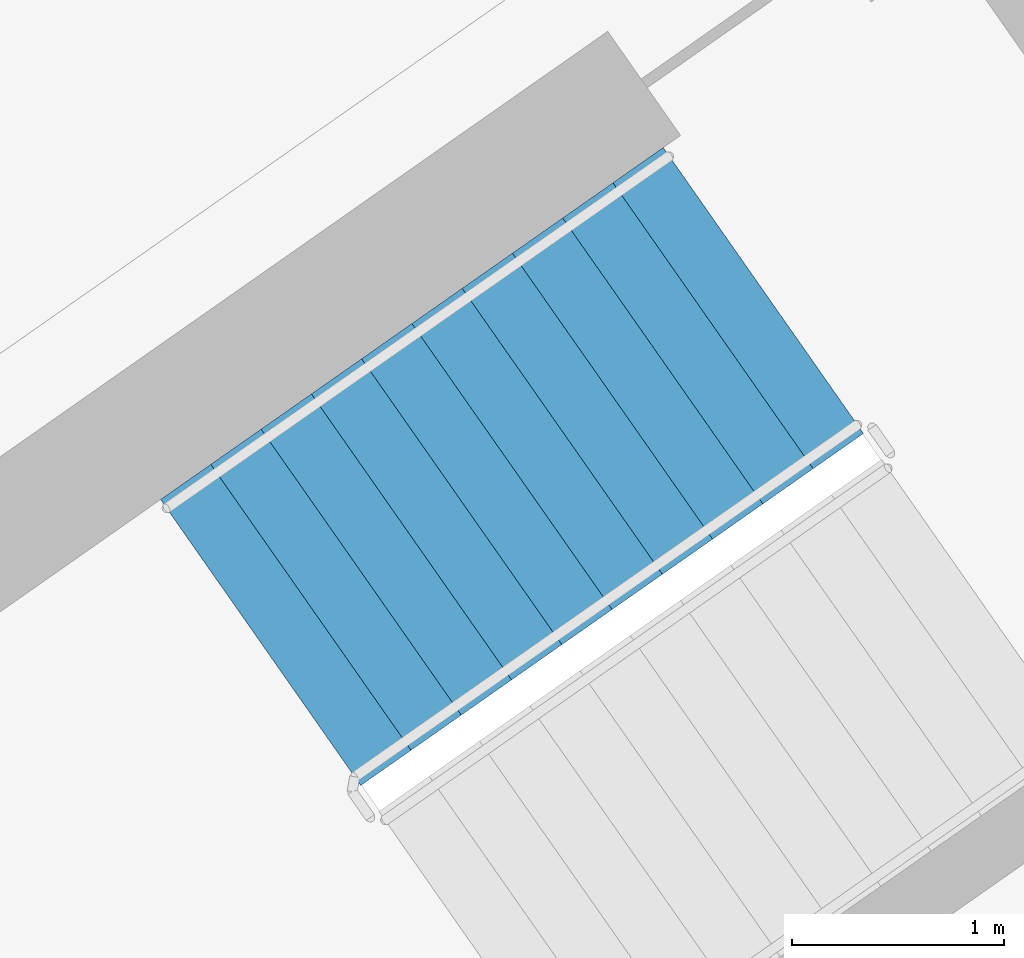
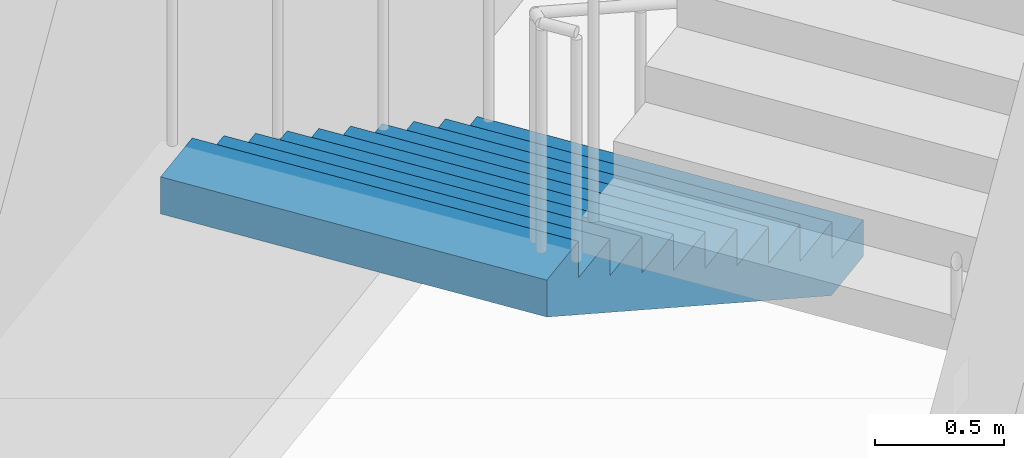
# One storey, part 18 of 27: 1 stair flight, 1 element without a shape of its own.
"""IFC4 building model written with IfcOpenShell, lengths in metres."""

from ifc_helpers import new_model, si_unit, direction, frame, origin, place, context, subcontext, project, spatial, faceted_brep, material, type_object, element, aggregate, save


model = new_model("IFC4")

# Units and contexts
model_context = context("Model", 3, precision=1e-05, world=origin(), true_north=direction((0.0, 1.0)))
body_context = subcontext(model_context, "Body", "Model", "MODEL_VIEW")
ifc_project = project(units=[si_unit("LENGTHUNIT", "METRE"), si_unit("AREAUNIT", "SQUARE_METRE"), si_unit("VOLUMEUNIT", "CUBIC_METRE"), si_unit("PLANEANGLEUNIT", "RADIAN"), si_unit("MASSUNIT", "GRAM", prefix="KILO")], contexts=[model_context])

# Site, building, storey
site_placement = place(None, origin())
site = spatial("IfcSite", under=ifc_project, at=site_placement, CompositionType="ELEMENT")
building_placement = place(site_placement, origin())
building = spatial("IfcBuilding", under=site, at=building_placement, Name="Qamariyya Broadcast Tower", CompositionType="ELEMENT")
storey_placement = place(building_placement, frame((0.0, 0.0, 179.699951171875)))
storey = spatial("IfcBuildingStorey", under=building, at=storey_placement, Name="L42", CompositionType="ELEMENT", Elevation=179.699951171875)

# Stair, stair flight
ifc_material = material(Name="Concrete C50/60", Category="concrete")
stair_type = type_object("IfcStairType", Name="Exit stair 22 risers of 173 mm", PredefinedType="HALF_TURN_STAIR", material=ifc_material)
stair_placement = place(storey_placement, origin())
stair = element("IfcStair", 1, at=stair_placement, inside=storey, type_object=stair_type, Name="L42 Stair E2", PredefinedType="HALF_TURN_STAIR")
stair_flight_type = type_object("IfcStairFlightType", Name="Exit stair flight 11 risers of 173 mm", PredefinedType="STRAIGHT", material=ifc_material)
stair_flight_placement = place(storey_placement, frame((40.558837890625, -47.685302734375, 0.0), z_axis=(0.0, 0.0, 1.0), x_axis=(-0.819152044289, -0.573576436351, 0.0)))
stair_flight = element("IfcStairFlight", 2, at=stair_flight_placement, type_object=stair_flight_type, Name="ST-E2 flight 1", NumberOfRisers=11, NumberOfTreads=10, PredefinedType="STRAIGHT", RiserHeight=0.172727273, TreadLength=0.29, context=body_context, shape_type="Brep", body=[
    faceted_brep([(0.0, 0.824951171875, 0.0), (0.0, 0.824951171875, 0.172607421875), (0.2900390625, 0.824951171875, 0.172607421875), (0.2900390625, 0.824951171875, 0.345458984375), (0.580078125, 0.824951171875, 0.345458984375), (0.580078125, 0.824951171875, 0.51806640625), (0.8701171875, 0.824951171875, 0.51806640625), (0.8701171875, 0.824951171875, 0.69091796875), (1.159912109375, 0.824951171875, 0.69091796875), (1.159912109375, 0.824951171875, 0.863525390625), (1.449951171875, 0.824951171875, 0.863525390625), (1.449951171875, 0.824951171875, 1.036376953125), (1.739990234375, 0.824951171875, 1.036376953125), (1.739990234375, 0.824951171875, 1.208984375), (2.030029296875, 0.824951171875, 1.208984375), (2.030029296875, 0.824951171875, 1.3818359375), (2.320068359375, 0.824951171875, 1.3818359375), (2.320068359375, 0.824951171875, 1.554443359375), (2.610107421875, 0.824951171875, 1.554443359375), (2.610107421875, 0.824951171875, 1.727294921875), (2.89990234375, 0.824951171875, 1.727294921875), (2.89990234375, 0.824951171875, 1.552734375), (0.29296875, 0.824951171875, 0.0), (0.29296875, -0.824951171875, 0.0), (2.89990234375, -0.824951171875, 1.552734375), (2.89990234375, -0.824951171875, 1.727294921875), (2.610107421875, -0.824951171875, 1.727294921875), (2.610107421875, -0.824951171875, 1.554443359375), (2.320068359375, -0.824951171875, 1.554443359375), (2.320068359375, -0.824951171875, 1.3818359375), (2.030029296875, -0.824951171875, 1.3818359375), (2.030029296875, -0.824951171875, 1.208984375), (1.739990234375, -0.824951171875, 1.208984375), (1.739990234375, -0.824951171875, 1.036376953125), (1.449951171875, -0.824951171875, 1.036376953125), (1.449951171875, -0.824951171875, 0.863525390625), (1.159912109375, -0.824951171875, 0.863525390625), (1.159912109375, -0.824951171875, 0.69091796875), (0.8701171875, -0.824951171875, 0.69091796875), (0.8701171875, -0.824951171875, 0.51806640625), (0.580078125, -0.824951171875, 0.51806640625), (0.580078125, -0.824951171875, 0.345458984375), (0.2900390625, -0.824951171875, 0.345458984375), (0.2900390625, -0.824951171875, 0.172607421875), (0.0, -0.824951171875, 0.172607421875), (0.0, -0.824951171875, 0.0), (0.0, 0.10009765625, 0.0), (0.0, 0.086669921875, 0.0), (0.0, 0.0732421875, 0.0), (0.0, 0.06005859375, 0.0), (0.0, 0.046630859375, 0.0), (0.0, 0.033447265625, 0.0), (0.0, 0.02001953125, 0.0), (0.0, 0.006591796875, 0.0), (0.0, -0.006591796875, 0.0), (0.0, -0.02001953125, 0.0), (0.0, -0.033447265625, 0.0), (0.0, -0.046630859375, 0.0), (0.0, -0.06005859375, 0.0), (0.0, -0.0732421875, 0.0), (0.0, -0.086669921875, 0.0), (0.0, -0.10009765625, 0.0), (0.0, -0.10009765625, 0.172607421875), (0.0, -0.086669921875, 0.172607421875), (0.0, -0.0732421875, 0.172607421875), (0.0, -0.06005859375, 0.172607421875), (0.0, -0.046630859375, 0.172607421875), (0.0, -0.033447265625, 0.172607421875), (0.0, -0.02001953125, 0.172607421875), (0.0, -0.006591796875, 0.172607421875), (0.0, 0.006591796875, 0.172607421875), (0.0, 0.02001953125, 0.172607421875), (0.0, 0.033447265625, 0.172607421875), (0.0, 0.046630859375, 0.172607421875), (0.0, 0.06005859375, 0.172607421875), (0.0, 0.0732421875, 0.172607421875), (0.0, 0.086669921875, 0.172607421875), (0.0, 0.10009765625, 0.172607421875), (0.2900390625, -0.10009765625, 0.172607421875), (0.2900390625, -0.086669921875, 0.172607421875), (0.2900390625, -0.0732421875, 0.172607421875), (0.2900390625, -0.06005859375, 0.172607421875), (0.2900390625, -0.046630859375, 0.172607421875), (0.2900390625, -0.033447265625, 0.172607421875), (0.2900390625, -0.02001953125, 0.172607421875), (0.2900390625, -0.006591796875, 0.172607421875), (0.2900390625, 0.006591796875, 0.172607421875), (0.2900390625, 0.02001953125, 0.172607421875), (0.2900390625, 0.033447265625, 0.172607421875), (0.2900390625, 0.046630859375, 0.172607421875), (0.2900390625, 0.06005859375, 0.172607421875), (0.2900390625, 0.0732421875, 0.172607421875), (0.2900390625, 0.086669921875, 0.172607421875), (0.2900390625, 0.10009765625, 0.172607421875), (0.2900390625, -0.10009765625, 0.345458984375), (0.2900390625, -0.086669921875, 0.345458984375), (0.2900390625, -0.0732421875, 0.345458984375), (0.2900390625, -0.06005859375, 0.345458984375), (0.2900390625, -0.046630859375, 0.345458984375), (0.2900390625, -0.033447265625, 0.345458984375), (0.2900390625, -0.02001953125, 0.345458984375), (0.2900390625, -0.006591796875, 0.345458984375), (0.2900390625, 0.006591796875, 0.345458984375), (0.2900390625, 0.02001953125, 0.345458984375), (0.2900390625, 0.033447265625, 0.345458984375), (0.2900390625, 0.046630859375, 0.345458984375), (0.2900390625, 0.06005859375, 0.345458984375), (0.2900390625, 0.0732421875, 0.345458984375), (0.2900390625, 0.086669921875, 0.345458984375), (0.2900390625, 0.10009765625, 0.345458984375), (0.580078125, -0.10009765625, 0.345458984375), (0.580078125, -0.086669921875, 0.345458984375), (0.580078125, -0.0732421875, 0.345458984375), (0.580078125, -0.06005859375, 0.345458984375), (0.580078125, -0.046630859375, 0.345458984375), (0.580078125, -0.033447265625, 0.345458984375), (0.580078125, -0.02001953125, 0.345458984375), (0.580078125, -0.006591796875, 0.345458984375), (0.580078125, 0.006591796875, 0.345458984375), (0.580078125, 0.02001953125, 0.345458984375), (0.580078125, 0.033447265625, 0.345458984375), (0.580078125, 0.046630859375, 0.345458984375), (0.580078125, 0.06005859375, 0.345458984375), (0.580078125, 0.0732421875, 0.345458984375), (0.580078125, 0.086669921875, 0.345458984375), (0.580078125, 0.10009765625, 0.345458984375), (0.580078125, -0.10009765625, 0.51806640625), (0.580078125, -0.086669921875, 0.51806640625), (0.580078125, -0.0732421875, 0.51806640625), (0.580078125, -0.06005859375, 0.51806640625), (0.580078125, -0.046630859375, 0.51806640625), (0.580078125, -0.033447265625, 0.51806640625), (0.580078125, -0.02001953125, 0.51806640625), (0.580078125, -0.006591796875, 0.51806640625), (0.580078125, 0.006591796875, 0.51806640625), (0.580078125, 0.02001953125, 0.51806640625), (0.580078125, 0.033447265625, 0.51806640625), (0.580078125, 0.046630859375, 0.51806640625), (0.580078125, 0.06005859375, 0.51806640625), (0.580078125, 0.0732421875, 0.51806640625), (0.580078125, 0.086669921875, 0.51806640625), (0.580078125, 0.10009765625, 0.51806640625), (0.8701171875, -0.10009765625, 0.51806640625), (0.8701171875, -0.086669921875, 0.51806640625), (0.8701171875, -0.0732421875, 0.51806640625), (0.8701171875, -0.06005859375, 0.51806640625), (0.8701171875, -0.046630859375, 0.51806640625), (0.8701171875, -0.033447265625, 0.51806640625), (0.8701171875, -0.02001953125, 0.51806640625), (0.8701171875, -0.006591796875, 0.51806640625), (0.8701171875, 0.006591796875, 0.51806640625), (0.8701171875, 0.02001953125, 0.51806640625), (0.8701171875, 0.033447265625, 0.51806640625), (0.8701171875, 0.046630859375, 0.51806640625), (0.8701171875, 0.06005859375, 0.51806640625), (0.8701171875, 0.0732421875, 0.51806640625), (0.8701171875, 0.086669921875, 0.51806640625), (0.8701171875, 0.10009765625, 0.51806640625), (0.8701171875, -0.10009765625, 0.69091796875), (0.8701171875, -0.086669921875, 0.69091796875), (0.8701171875, -0.0732421875, 0.69091796875), (0.8701171875, -0.06005859375, 0.69091796875), (0.8701171875, -0.046630859375, 0.69091796875), (0.8701171875, -0.033447265625, 0.69091796875), (0.8701171875, -0.02001953125, 0.69091796875), (0.8701171875, -0.006591796875, 0.69091796875), (0.8701171875, 0.006591796875, 0.69091796875), (0.8701171875, 0.02001953125, 0.69091796875), (0.8701171875, 0.033447265625, 0.69091796875), (0.8701171875, 0.046630859375, 0.69091796875), (0.8701171875, 0.06005859375, 0.69091796875), (0.8701171875, 0.0732421875, 0.69091796875), (0.8701171875, 0.086669921875, 0.69091796875), (0.8701171875, 0.10009765625, 0.69091796875), (1.159912109375, -0.10009765625, 0.69091796875), (1.159912109375, -0.086669921875, 0.69091796875), (1.159912109375, -0.0732421875, 0.69091796875), (1.159912109375, -0.06005859375, 0.69091796875), (1.159912109375, -0.046630859375, 0.69091796875), (1.159912109375, -0.033447265625, 0.69091796875), (1.159912109375, -0.02001953125, 0.69091796875), (1.159912109375, -0.006591796875, 0.69091796875), (1.159912109375, 0.006591796875, 0.69091796875), (1.159912109375, 0.02001953125, 0.69091796875), (1.159912109375, 0.033447265625, 0.69091796875), (1.159912109375, 0.046630859375, 0.69091796875), (1.159912109375, 0.06005859375, 0.69091796875), (1.159912109375, 0.0732421875, 0.69091796875), (1.159912109375, 0.086669921875, 0.69091796875), (1.159912109375, 0.10009765625, 0.69091796875), (1.159912109375, -0.10009765625, 0.863525390625), (1.159912109375, -0.086669921875, 0.863525390625), (1.159912109375, -0.0732421875, 0.863525390625), (1.159912109375, -0.06005859375, 0.863525390625), (1.159912109375, -0.046630859375, 0.863525390625), (1.159912109375, -0.033447265625, 0.863525390625), (1.159912109375, -0.02001953125, 0.863525390625), (1.159912109375, -0.006591796875, 0.863525390625), (1.159912109375, 0.006591796875, 0.863525390625), (1.159912109375, 0.02001953125, 0.863525390625), (1.159912109375, 0.033447265625, 0.863525390625), (1.159912109375, 0.046630859375, 0.863525390625), (1.159912109375, 0.06005859375, 0.863525390625), (1.159912109375, 0.0732421875, 0.863525390625), (1.159912109375, 0.086669921875, 0.863525390625), (1.159912109375, 0.10009765625, 0.863525390625), (1.449951171875, -0.10009765625, 0.863525390625), (1.449951171875, -0.086669921875, 0.863525390625), (1.449951171875, -0.0732421875, 0.863525390625), (1.449951171875, -0.06005859375, 0.863525390625), (1.449951171875, -0.046630859375, 0.863525390625), (1.449951171875, -0.033447265625, 0.863525390625), (1.449951171875, -0.02001953125, 0.863525390625), (1.449951171875, -0.006591796875, 0.863525390625), (1.449951171875, 0.006591796875, 0.863525390625), (1.449951171875, 0.02001953125, 0.863525390625), (1.449951171875, 0.033447265625, 0.863525390625), (1.449951171875, 0.046630859375, 0.863525390625), (1.449951171875, 0.06005859375, 0.863525390625), (1.449951171875, 0.0732421875, 0.863525390625), (1.449951171875, 0.086669921875, 0.863525390625), (1.449951171875, 0.10009765625, 0.863525390625), (1.449951171875, -0.10009765625, 1.036376953125), (1.449951171875, -0.086669921875, 1.036376953125), (1.449951171875, -0.0732421875, 1.036376953125), (1.449951171875, -0.06005859375, 1.036376953125), (1.449951171875, -0.046630859375, 1.036376953125), (1.449951171875, -0.033447265625, 1.036376953125), (1.449951171875, -0.02001953125, 1.036376953125), (1.449951171875, -0.006591796875, 1.036376953125), (1.449951171875, 0.006591796875, 1.036376953125), (1.449951171875, 0.02001953125, 1.036376953125), (1.449951171875, 0.033447265625, 1.036376953125), (1.449951171875, 0.046630859375, 1.036376953125), (1.449951171875, 0.06005859375, 1.036376953125), (1.449951171875, 0.0732421875, 1.036376953125), (1.449951171875, 0.086669921875, 1.036376953125), (1.449951171875, 0.10009765625, 1.036376953125), (1.739990234375, -0.10009765625, 1.036376953125), (1.739990234375, -0.086669921875, 1.036376953125), (1.739990234375, -0.0732421875, 1.036376953125), (1.739990234375, -0.06005859375, 1.036376953125), (1.739990234375, -0.046630859375, 1.036376953125), (1.739990234375, -0.033447265625, 1.036376953125), (1.739990234375, -0.02001953125, 1.036376953125), (1.739990234375, -0.006591796875, 1.036376953125), (1.739990234375, 0.006591796875, 1.036376953125), (1.739990234375, 0.02001953125, 1.036376953125), (1.739990234375, 0.033447265625, 1.036376953125), (1.739990234375, 0.046630859375, 1.036376953125), (1.739990234375, 0.06005859375, 1.036376953125), (1.739990234375, 0.0732421875, 1.036376953125), (1.739990234375, 0.086669921875, 1.036376953125), (1.739990234375, 0.10009765625, 1.036376953125), (1.739990234375, -0.10009765625, 1.208984375), (1.739990234375, -0.086669921875, 1.208984375), (1.739990234375, -0.0732421875, 1.208984375), (1.739990234375, -0.06005859375, 1.208984375), (1.739990234375, -0.046630859375, 1.208984375), (1.739990234375, -0.033447265625, 1.208984375), (1.739990234375, -0.02001953125, 1.208984375), (1.739990234375, -0.006591796875, 1.208984375), (1.739990234375, 0.006591796875, 1.208984375), (1.739990234375, 0.02001953125, 1.208984375), (1.739990234375, 0.033447265625, 1.208984375), (1.739990234375, 0.046630859375, 1.208984375), (1.739990234375, 0.06005859375, 1.208984375), (1.739990234375, 0.0732421875, 1.208984375), (1.739990234375, 0.086669921875, 1.208984375), (1.739990234375, 0.10009765625, 1.208984375), (2.030029296875, -0.10009765625, 1.208984375), (2.030029296875, -0.086669921875, 1.208984375), (2.030029296875, -0.0732421875, 1.208984375), (2.030029296875, -0.06005859375, 1.208984375), (2.030029296875, -0.046630859375, 1.208984375), (2.030029296875, -0.033447265625, 1.208984375), (2.030029296875, -0.02001953125, 1.208984375), (2.030029296875, -0.006591796875, 1.208984375), (2.030029296875, 0.006591796875, 1.208984375), (2.030029296875, 0.02001953125, 1.208984375), (2.030029296875, 0.033447265625, 1.208984375), (2.030029296875, 0.046630859375, 1.208984375), (2.030029296875, 0.06005859375, 1.208984375), (2.030029296875, 0.0732421875, 1.208984375), (2.030029296875, 0.086669921875, 1.208984375), (2.030029296875, 0.10009765625, 1.208984375), (2.030029296875, -0.10009765625, 1.3818359375), (2.030029296875, -0.086669921875, 1.3818359375), (2.030029296875, -0.0732421875, 1.3818359375), (2.030029296875, -0.06005859375, 1.3818359375), (2.030029296875, -0.046630859375, 1.3818359375), (2.030029296875, -0.033447265625, 1.3818359375), (2.030029296875, -0.02001953125, 1.3818359375), (2.030029296875, -0.006591796875, 1.3818359375), (2.030029296875, 0.006591796875, 1.3818359375), (2.030029296875, 0.02001953125, 1.3818359375), (2.030029296875, 0.033447265625, 1.3818359375), (2.030029296875, 0.046630859375, 1.3818359375), (2.030029296875, 0.06005859375, 1.3818359375), (2.030029296875, 0.0732421875, 1.3818359375), (2.030029296875, 0.086669921875, 1.3818359375), (2.030029296875, 0.10009765625, 1.3818359375), (2.320068359375, -0.10009765625, 1.3818359375), (2.320068359375, -0.086669921875, 1.3818359375), (2.320068359375, -0.0732421875, 1.3818359375), (2.320068359375, -0.06005859375, 1.3818359375), (2.320068359375, -0.046630859375, 1.3818359375), (2.320068359375, -0.033447265625, 1.3818359375), (2.320068359375, -0.02001953125, 1.3818359375), (2.320068359375, -0.006591796875, 1.3818359375), (2.320068359375, 0.006591796875, 1.3818359375), (2.320068359375, 0.02001953125, 1.3818359375), (2.320068359375, 0.033447265625, 1.3818359375), (2.320068359375, 0.046630859375, 1.3818359375), (2.320068359375, 0.06005859375, 1.3818359375), (2.320068359375, 0.0732421875, 1.3818359375), (2.320068359375, 0.086669921875, 1.3818359375), (2.320068359375, 0.10009765625, 1.3818359375), (2.320068359375, -0.10009765625, 1.554443359375), (2.320068359375, -0.086669921875, 1.554443359375), (2.320068359375, -0.0732421875, 1.554443359375), (2.320068359375, -0.06005859375, 1.554443359375), (2.320068359375, -0.046630859375, 1.554443359375), (2.320068359375, -0.033447265625, 1.554443359375), (2.320068359375, -0.02001953125, 1.554443359375), (2.320068359375, -0.006591796875, 1.554443359375), (2.320068359375, 0.006591796875, 1.554443359375), (2.320068359375, 0.02001953125, 1.554443359375), (2.320068359375, 0.033447265625, 1.554443359375), (2.320068359375, 0.046630859375, 1.554443359375), (2.320068359375, 0.06005859375, 1.554443359375), (2.320068359375, 0.0732421875, 1.554443359375), (2.320068359375, 0.086669921875, 1.554443359375), (2.320068359375, 0.10009765625, 1.554443359375), (2.610107421875, -0.10009765625, 1.554443359375), (2.610107421875, -0.086669921875, 1.554443359375), (2.610107421875, -0.0732421875, 1.554443359375), (2.610107421875, -0.06005859375, 1.554443359375), (2.610107421875, -0.046630859375, 1.554443359375), (2.610107421875, -0.033447265625, 1.554443359375), (2.610107421875, -0.02001953125, 1.554443359375), (2.610107421875, -0.006591796875, 1.554443359375), (2.610107421875, 0.006591796875, 1.554443359375), (2.610107421875, 0.02001953125, 1.554443359375), (2.610107421875, 0.033447265625, 1.554443359375), (2.610107421875, 0.046630859375, 1.554443359375), (2.610107421875, 0.06005859375, 1.554443359375), (2.610107421875, 0.0732421875, 1.554443359375), (2.610107421875, 0.086669921875, 1.554443359375), (2.610107421875, 0.10009765625, 1.554443359375), (2.610107421875, -0.10009765625, 1.727294921875), (2.610107421875, -0.086669921875, 1.727294921875), (2.610107421875, -0.0732421875, 1.727294921875), (2.610107421875, -0.06005859375, 1.727294921875), (2.610107421875, -0.046630859375, 1.727294921875), (2.610107421875, -0.033447265625, 1.727294921875), (2.610107421875, -0.02001953125, 1.727294921875), (2.610107421875, -0.006591796875, 1.727294921875), (2.610107421875, 0.006591796875, 1.727294921875), (2.610107421875, 0.02001953125, 1.727294921875), (2.610107421875, 0.033447265625, 1.727294921875), (2.610107421875, 0.046630859375, 1.727294921875), (2.610107421875, 0.06005859375, 1.727294921875), (2.610107421875, 0.0732421875, 1.727294921875), (2.610107421875, 0.086669921875, 1.727294921875), (2.610107421875, 0.10009765625, 1.727294921875), (2.89990234375, -0.10009765625, 1.727294921875), (2.89990234375, -0.086669921875, 1.727294921875), (2.89990234375, -0.0732421875, 1.727294921875), (2.89990234375, -0.06005859375, 1.727294921875), (2.89990234375, -0.046630859375, 1.727294921875), (2.89990234375, -0.033447265625, 1.727294921875), (2.89990234375, -0.02001953125, 1.727294921875), (2.89990234375, -0.006591796875, 1.727294921875), (2.89990234375, 0.006591796875, 1.727294921875), (2.89990234375, 0.02001953125, 1.727294921875), (2.89990234375, 0.033447265625, 1.727294921875), (2.89990234375, 0.046630859375, 1.727294921875), (2.89990234375, 0.06005859375, 1.727294921875), (2.89990234375, 0.0732421875, 1.727294921875), (2.89990234375, 0.086669921875, 1.727294921875), (2.89990234375, 0.10009765625, 1.727294921875), (2.89990234375, -0.10009765625, 1.552734375), (2.89990234375, -0.086669921875, 1.552734375), (2.89990234375, -0.0732421875, 1.552734375), (2.89990234375, -0.06005859375, 1.552734375), (2.89990234375, -0.046630859375, 1.552734375), (2.89990234375, -0.033447265625, 1.552734375), (2.89990234375, -0.02001953125, 1.552734375), (2.89990234375, -0.006591796875, 1.552734375), (2.89990234375, 0.006591796875, 1.552734375), (2.89990234375, 0.02001953125, 1.552734375), (2.89990234375, 0.033447265625, 1.552734375), (2.89990234375, 0.046630859375, 1.552734375), (2.89990234375, 0.06005859375, 1.552734375), (2.89990234375, 0.0732421875, 1.552734375), (2.89990234375, 0.086669921875, 1.552734375), (2.89990234375, 0.10009765625, 1.552734375), (0.29296875, -0.10009765625, 0.0), (0.29296875, -0.086669921875, 0.0), (0.29296875, -0.0732421875, 0.0), (0.29296875, -0.06005859375, 0.0), (0.29296875, -0.046630859375, 0.0), (0.29296875, -0.033447265625, 0.0), (0.29296875, -0.02001953125, 0.0), (0.29296875, -0.006591796875, 0.0), (0.29296875, 0.006591796875, 0.0), (0.29296875, 0.02001953125, 0.0), (0.29296875, 0.033447265625, 0.0), (0.29296875, 0.046630859375, 0.0), (0.29296875, 0.06005859375, 0.0), (0.29296875, 0.0732421875, 0.0), (0.29296875, 0.086669921875, 0.0), (0.29296875, 0.10009765625, 0.0)], [[[0, 1, 2, 3, 4, 5, 6, 7, 8, 9, 10, 11, 12, 13, 14, 15, 16, 17, 18, 19, 20, 21, 22]], [[23, 24, 25, 26, 27, 28, 29, 30, 31, 32, 33, 34, 35, 36, 37, 38, 39, 40, 41, 42, 43, 44, 45]], [[0, 46, 47, 48, 49, 50, 51, 52, 53, 54, 55, 56, 57, 58, 59, 60, 61, 45, 44, 62, 63, 64, 65, 66, 67, 68, 69, 70, 71, 72, 73, 74, 75, 76, 77, 1]], [[1, 77, 76, 75, 74, 73, 72, 71, 70, 69, 68, 67, 66, 65, 64, 63, 62, 44, 43, 78, 79, 80, 81, 82, 83, 84, 85, 86, 87, 88, 89, 90, 91, 92, 93, 2]], [[2, 93, 92, 91, 90, 89, 88, 87, 86, 85, 84, 83, 82, 81, 80, 79, 78, 43, 42, 94, 95, 96, 97, 98, 99, 100, 101, 102, 103, 104, 105, 106, 107, 108, 109, 3]], [[3, 109, 108, 107, 106, 105, 104, 103, 102, 101, 100, 99, 98, 97, 96, 95, 94, 42, 41, 110, 111, 112, 113, 114, 115, 116, 117, 118, 119, 120, 121, 122, 123, 124, 125, 4]], [[4, 125, 124, 123, 122, 121, 120, 119, 118, 117, 116, 115, 114, 113, 112, 111, 110, 41, 40, 126, 127, 128, 129, 130, 131, 132, 133, 134, 135, 136, 137, 138, 139, 140, 141, 5]], [[5, 141, 140, 139, 138, 137, 136, 135, 134, 133, 132, 131, 130, 129, 128, 127, 126, 40, 39, 142, 143, 144, 145, 146, 147, 148, 149, 150, 151, 152, 153, 154, 155, 156, 157, 6]], [[6, 157, 156, 155, 154, 153, 152, 151, 150, 149, 148, 147, 146, 145, 144, 143, 142, 39, 38, 158, 159, 160, 161, 162, 163, 164, 165, 166, 167, 168, 169, 170, 171, 172, 173, 7]], [[7, 173, 172, 171, 170, 169, 168, 167, 166, 165, 164, 163, 162, 161, 160, 159, 158, 38, 37, 174, 175, 176, 177, 178, 179, 180, 181, 182, 183, 184, 185, 186, 187, 188, 189, 8]], [[8, 189, 188, 187, 186, 185, 184, 183, 182, 181, 180, 179, 178, 177, 176, 175, 174, 37, 36, 190, 191, 192, 193, 194, 195, 196, 197, 198, 199, 200, 201, 202, 203, 204, 205, 9]], [[9, 205, 204, 203, 202, 201, 200, 199, 198, 197, 196, 195, 194, 193, 192, 191, 190, 36, 35, 206, 207, 208, 209, 210, 211, 212, 213, 214, 215, 216, 217, 218, 219, 220, 221, 10]], [[10, 221, 220, 219, 218, 217, 216, 215, 214, 213, 212, 211, 210, 209, 208, 207, 206, 35, 34, 222, 223, 224, 225, 226, 227, 228, 229, 230, 231, 232, 233, 234, 235, 236, 237, 11]], [[11, 237, 236, 235, 234, 233, 232, 231, 230, 229, 228, 227, 226, 225, 224, 223, 222, 34, 33, 238, 239, 240, 241, 242, 243, 244, 245, 246, 247, 248, 249, 250, 251, 252, 253, 12]], [[12, 253, 252, 251, 250, 249, 248, 247, 246, 245, 244, 243, 242, 241, 240, 239, 238, 33, 32, 254, 255, 256, 257, 258, 259, 260, 261, 262, 263, 264, 265, 266, 267, 268, 269, 13]], [[13, 269, 268, 267, 266, 265, 264, 263, 262, 261, 260, 259, 258, 257, 256, 255, 254, 32, 31, 270, 271, 272, 273, 274, 275, 276, 277, 278, 279, 280, 281, 282, 283, 284, 285, 14]], [[14, 285, 284, 283, 282, 281, 280, 279, 278, 277, 276, 275, 274, 273, 272, 271, 270, 31, 30, 286, 287, 288, 289, 290, 291, 292, 293, 294, 295, 296, 297, 298, 299, 300, 301, 15]], [[15, 301, 300, 299, 298, 297, 296, 295, 294, 293, 292, 291, 290, 289, 288, 287, 286, 30, 29, 302, 303, 304, 305, 306, 307, 308, 309, 310, 311, 312, 313, 314, 315, 316, 317, 16]], [[16, 317, 316, 315, 314, 313, 312, 311, 310, 309, 308, 307, 306, 305, 304, 303, 302, 29, 28, 318, 319, 320, 321, 322, 323, 324, 325, 326, 327, 328, 329, 330, 331, 332, 333, 17]], [[17, 333, 332, 331, 330, 329, 328, 327, 326, 325, 324, 323, 322, 321, 320, 319, 318, 28, 27, 334, 335, 336, 337, 338, 339, 340, 341, 342, 343, 344, 345, 346, 347, 348, 349, 18]], [[18, 349, 348, 347, 346, 345, 344, 343, 342, 341, 340, 339, 338, 337, 336, 335, 334, 27, 26, 350, 351, 352, 353, 354, 355, 356, 357, 358, 359, 360, 361, 362, 363, 364, 365, 19]], [[19, 365, 364, 363, 362, 361, 360, 359, 358, 357, 356, 355, 354, 353, 352, 351, 350, 26, 25, 366, 367, 368, 369, 370, 371, 372, 373, 374, 375, 376, 377, 378, 379, 380, 381, 20]], [[20, 381, 380, 379, 378, 377, 376, 375, 374, 373, 372, 371, 370, 369, 368, 367, 366, 25, 24, 382, 383, 384, 385, 386, 387, 388, 389, 390, 391, 392, 393, 394, 395, 396, 397, 21]], [[21, 397, 396, 395, 394, 393, 392, 391, 390, 389, 388, 387, 386, 385, 384, 383, 382, 24, 23, 398, 399, 400, 401, 402, 403, 404, 405, 406, 407, 408, 409, 410, 411, 412, 413, 22]], [[22, 413, 412, 411, 410, 409, 408, 407, 406, 405, 404, 403, 402, 401, 400, 399, 398, 23, 45, 61, 60, 59, 58, 57, 56, 55, 54, 53, 52, 51, 50, 49, 48, 47, 46, 0]]]),
])
aggregate(stair, [stair_flight])

save(model, "model.ifc")
